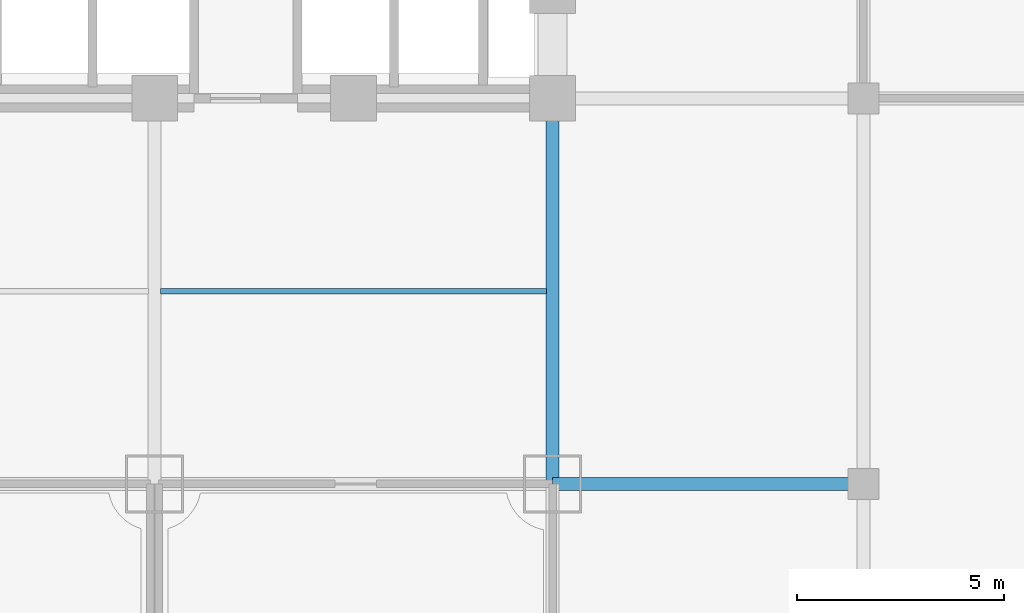
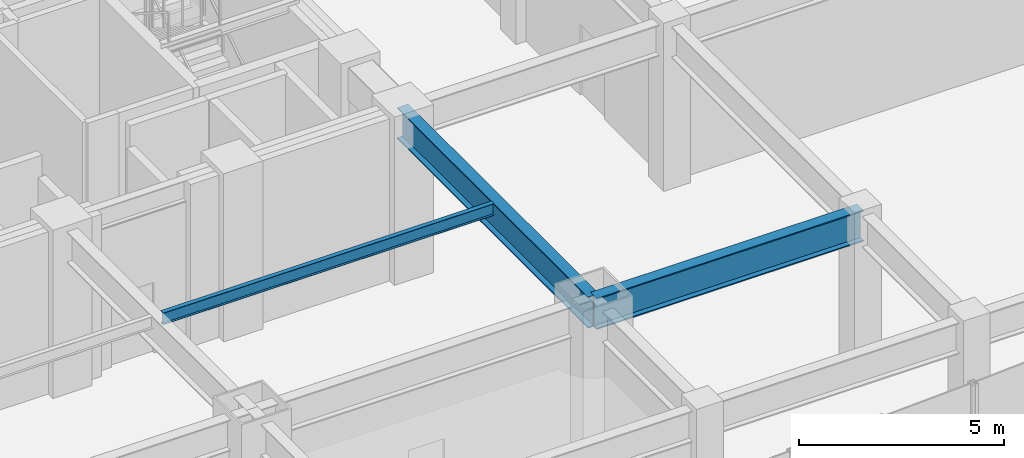
# One storey, part 8 of 24: 3 beams.
"""IFC4 building model written with IfcOpenShell, lengths in metres."""

from ifc_helpers import new_model, si_unit, direction, frame, origin, origin_2d, place, context, subcontext, project, spatial, i_section, extrude, material, material_profile, profile_set, type_object, element, save


model = new_model("IFC4")

# Units and contexts
model_context = context("Model", 3, precision=1e-05, world=origin(), true_north=direction((0.0, 1.0)))
body_context = subcontext(model_context, "Body", "Model", "MODEL_VIEW")
ifc_project = project(units=[si_unit("LENGTHUNIT", "METRE"), si_unit("AREAUNIT", "SQUARE_METRE"), si_unit("VOLUMEUNIT", "CUBIC_METRE"), si_unit("PLANEANGLEUNIT", "RADIAN"), si_unit("MASSUNIT", "GRAM", prefix="KILO")], contexts=[model_context])

# Site, building, storey
site_placement = place(None, origin())
site = spatial("IfcSite", under=ifc_project, at=site_placement, CompositionType="ELEMENT")
building_placement = place(site_placement, origin())
building = spatial("IfcBuilding", under=site, at=building_placement, Name="Vantalir Tower", CompositionType="ELEMENT")
storey_placement = place(building_placement, frame((0.0, 0.0, 11.0)))
storey = spatial("IfcBuildingStorey", under=building, at=storey_placement, Name="L02", CompositionType="ELEMENT", Elevation=11.0)

# Beams
ifc_material = material(Name="Steel S355", Category="steel")
ifc_material_profile_1 = material_profile(ifc_material, i_section(OverallWidth=0.1259765625, OverallDepth=0.35302734375, WebThickness=0.006591796875, FlangeThickness=0.0107421875, at=origin_2d()), Name="Steel S355")
ifc_profile_set_1 = profile_set([ifc_material_profile_1], Name="Steel S355")
beam_type_1 = type_object("IfcBeamType", Name="BM-JS-356x127", PredefinedType="JOIST", material=ifc_profile_set_1)
beam_1_placement = place(storey_placement, frame((31.64501953125, 13.14990234375, 4.64404296875), z_axis=(1.0, 0.0, 0.0), x_axis=(0.0, 1.0, 0.0)))
element("IfcBeam", 1, at=beam_1_placement, inside=storey, type_object=beam_type_1, Name="Level 02 Secondary Composite Joist 05", PredefinedType="JOIST", context=body_context, shape_type="SweptSolid", body=[
    extrude(i_section(OverallWidth=0.1259765625, OverallDepth=0.35302734375, WebThickness=0.006591796875, FlangeThickness=0.0107421875, at=origin_2d()), origin(), (0.0, 0.0, 1.0), 9.31005859375),
])
ifc_material_profile_2 = material_profile(ifc_material, i_section(OverallWidth=0.30810546875, OverallDepth=0.927001953125, WebThickness=0.01953125, FlangeThickness=0.031982421875, at=origin_2d()), Name="Steel S355")
ifc_profile_set_2 = profile_set([ifc_material_profile_2], Name="Steel S355")
beam_type_2 = type_object("IfcBeamType", Name="BM-PG-914x305", PredefinedType="USERDEFINED", material=ifc_profile_set_2)
beam_2_placement = place(storey_placement, frame((41.10009765625, 8.5, 4.35595703125), z_axis=(1.0, 0.0, 0.0), x_axis=(0.0, 1.0, 0.0)))
element("IfcBeam", 2, at=beam_2_placement, inside=storey, type_object=beam_type_2, Name="Level 02 Podium E-W Girder 11", ObjectType="GIRDER", PredefinedType="USERDEFINED", context=body_context, shape_type="SweptSolid", body=[
    extrude(i_section(OverallWidth=0.30810546875, OverallDepth=0.927001953125, WebThickness=0.01953125, FlangeThickness=0.031982421875, at=origin_2d()), origin(), (0.0, 0.0, 1.0), 7.5),
])
beam_3_placement = place(storey_placement, frame((41.10009765625, 8.5, 4.35595703125), z_axis=(0.0, 1.0, 0.0), x_axis=(-1.0, 0.0, 0.0)))
element("IfcBeam", 3, at=beam_3_placement, inside=storey, type_object=beam_type_2, Name="Level 02 Podium N-S Girder 68", ObjectType="GIRDER", PredefinedType="USERDEFINED", context=body_context, shape_type="SweptSolid", body=[
    extrude(i_section(OverallWidth=0.30810546875, OverallDepth=0.927001953125, WebThickness=0.01953125, FlangeThickness=0.031982421875, at=origin_2d()), origin(), (0.0, 0.0, 1.0), 9.300048828125),
])

save(model, "model.ifc")
